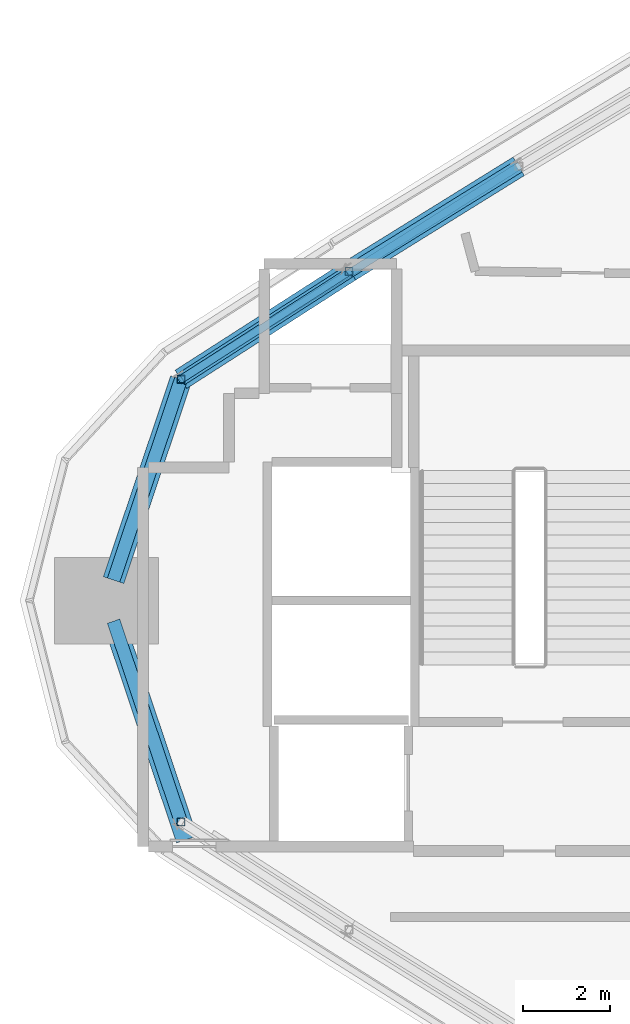
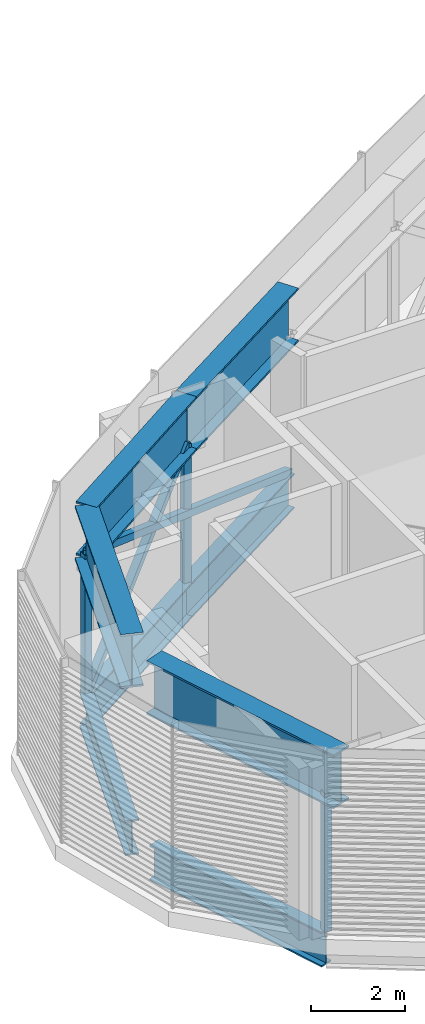
# One storey, part 4 of 21: 8 beams, 5 members.
"""IFC4 building model written with IfcOpenShell, lengths in metres."""

from ifc_helpers import new_model, si_unit, direction, frame, origin, origin_2d, place, context, subcontext, project, spatial, hollow_rectangle, i_section, extrude, material, material_profile, profile_set, type_object, element, save


model = new_model("IFC4")

# Units and contexts
model_context = context("Model", 3, precision=1e-05, world=origin(), true_north=direction((0.0, 1.0)))
body_context = subcontext(model_context, "Body", "Model", "MODEL_VIEW")
ifc_project = project(units=[si_unit("LENGTHUNIT", "METRE"), si_unit("AREAUNIT", "SQUARE_METRE"), si_unit("VOLUMEUNIT", "CUBIC_METRE"), si_unit("PLANEANGLEUNIT", "RADIAN"), si_unit("MASSUNIT", "GRAM", prefix="KILO")], contexts=[model_context])

# Site, building, storey
site_placement = place(None, origin())
site = spatial("IfcSite", under=ifc_project, at=site_placement, CompositionType="ELEMENT")
building_placement = place(site_placement, origin())
building = spatial("IfcBuilding", under=site, at=building_placement, Name="Tamra Quay Hotel Tower", CompositionType="ELEMENT")
storey_placement = place(building_placement, frame((0.0, 0.0, 301.800048828125)))
storey = spatial("IfcBuildingStorey", under=building, at=storey_placement, Name="L76", CompositionType="ELEMENT", Elevation=301.800048828125)

# Members
ifc_material = material(Name="Structural steel IS 2062 E350", Category="steel")
ifc_material_profile_1 = material_profile(ifc_material, hollow_rectangle(XDim=0.179931640625, YDim=0.179931640625, WallThickness=0.008056640625, at=origin_2d()), Name="SHS 180x180x8")
ifc_profile_set_1 = profile_set([ifc_material_profile_1], Name="Structural steel IS 2062 E350")
member_type = type_object("IfcMemberType", Name="BELT BRACE SHS 180x180x8 Z6", PredefinedType="BRACE", material=ifc_profile_set_1)
member_1_placement = place(storey_placement, frame((-13.765380859375, 10.022216796875, -0.400146484375), z_axis=(-0.787845591992, -0.496839784863, 0.363936191326), x_axis=(0.533419632316, -0.84585075271, 0.0)))
element("IfcMember", 1, at=member_1_placement, inside=storey, type_object=member_type, Name="BR-L76-028", PredefinedType="BRACE", context=body_context, shape_type="SweptSolid", body=[
    extrude(hollow_rectangle(XDim=0.179931640625, YDim=0.179931640625, WallThickness=0.008056640625, at=origin_2d()), origin(), (0.0, 0.0, 1.0), 9.89208984375),
])
member_2_placement = place(storey_placement, frame((-17.681396484375, 7.594970703125, -0.400146484375), z_axis=(0.0, 0.0, 1.0), x_axis=(1.0, 0.0, 0.0)))
element("IfcMember", 2, at=member_2_placement, inside=storey, type_object=member_type, Name="BR-L76-029", PredefinedType="BRACE", context=body_context, shape_type="SweptSolid", body=[
    extrude(hollow_rectangle(XDim=0.179931640625, YDim=0.179931640625, WallThickness=0.008056640625, at=origin_2d()), origin(), (0.0, 0.0, 1.0), 3.60009765625),
])
member_3_placement = place(storey_placement, frame((-21.558837890625, 5.107421875, -0.400146484375), z_axis=(0.663191844458, 0.425466673163, 0.615755379573), x_axis=(-0.539975237553, 0.841680903211, 0.0)))
element("IfcMember", 3, at=member_3_placement, inside=storey, type_object=member_type, Name="BR-L76-030", PredefinedType="BRACE", context=body_context, shape_type="SweptSolid", body=[
    extrude(hollow_rectangle(XDim=0.179931640625, YDim=0.179931640625, WallThickness=0.008056640625, at=origin_2d()), origin(), (0.0, 0.0, 1.0), 5.8466796875),
])
for number, where, z_axis, x_axis, name in (
    (4, (-21.558837890625, 5.107421875, -0.400146484375), (0.0, 0.0, 1.0), (1.0, 0.0, 0.0), "BR-L76-031"),
    (5, (-21.558837890625, -5.107421875, -0.400146484375), (0.0, 0.0, 1.0), (1.0, 0.0, 0.0), "BR-L76-032"),
):
    element("IfcMember", number, at=place(storey_placement, frame(where, z_axis=z_axis, x_axis=x_axis)), inside=storey, type_object=member_type, Name=name, PredefinedType="BRACE", context=body_context, shape_type="SweptSolid", body=[
        extrude(hollow_rectangle(XDim=0.179931640625, YDim=0.179931640625, WallThickness=0.008056640625, at=origin_2d()), origin(), (0.0, 0.0, 1.0), 3.60009765625),
    ])

# Beams
ifc_material_profile_2 = material_profile(ifc_material, i_section(OverallWidth=0.302001953125, OverallDepth=0.909912109375, WebThickness=0.027099609375, FlangeThickness=0.0400390625, at=origin_2d()), Name="WPB 900x300x333")
ifc_profile_set_2 = profile_set([ifc_material_profile_2], Name="Structural steel IS 2062 E350")
beam_type_1 = type_object("IfcBeamType", Name="BELT CHORD WPB 900x300x333 Z6", PredefinedType="BEAM", material=ifc_profile_set_2)
beam_1_placement = place(storey_placement, frame((-13.765380859375, 10.022216796875, -0.85498046875), z_axis=(-0.849969133721, -0.526832489243, 0.0), x_axis=(0.526832489243, -0.849969133721, 0.0)))
element("IfcBeam", 6, at=beam_1_placement, inside=storey, type_object=beam_type_1, Name="BM-CHB-L76-014", PredefinedType="BEAM", context=body_context, shape_type="SweptSolid", body=[
    extrude(i_section(OverallWidth=0.302001953125, OverallDepth=0.909912109375, WebThickness=0.027099609375, FlangeThickness=0.0400390625, at=origin_2d()), origin(), (0.0, 0.0, 1.0), 4.607177734375),
])
beam_2_placement = place(storey_placement, frame((-17.681396484375, 7.594970703125, -0.85498046875), z_axis=(-0.841680903211, -0.539975237553, 0.0), x_axis=(0.539975237553, -0.841680903211, 0.0)))
element("IfcBeam", 7, at=beam_2_placement, inside=storey, type_object=beam_type_1, Name="BM-CHB-L76-015", PredefinedType="BEAM", context=body_context, shape_type="SweptSolid", body=[
    extrude(i_section(OverallWidth=0.302001953125, OverallDepth=0.909912109375, WebThickness=0.027099609375, FlangeThickness=0.0400390625, at=origin_2d()), origin(), (0.0, 0.0, 1.0), 4.606689453125),
])
for number, where, z_axis, x_axis, name in (
    (8, (-21.558837890625, 5.107421875, -0.85498046875), (-0.318249821481, -0.948006883481, 0.0), (0.948006883481, -0.318249821481, 0.0), "BM-CHB-L76-016"),
    (9, (-23.114501953125, -0.473388671875, -0.85498046875), (0.318249821481, -0.948006883481, 0.0), (0.948006883481, 0.318249821481, 0.0), "BM-CHB-L76-017"),
):
    element("IfcBeam", number, at=place(storey_placement, frame(where, z_axis=z_axis, x_axis=x_axis)), inside=storey, type_object=beam_type_1, Name=name, PredefinedType="BEAM", context=body_context, shape_type="SweptSolid", body=[
        extrude(i_section(OverallWidth=0.302001953125, OverallDepth=0.909912109375, WebThickness=0.027099609375, FlangeThickness=0.0400390625, at=origin_2d()), origin(), (0.0, 0.0, 1.0), 4.88818359375),
    ])
ifc_material_profile_3 = material_profile(ifc_material, i_section(OverallWidth=0.5, OverallDepth=1.39990234375, WebThickness=0.02490234375, FlangeThickness=0.050048828125, at=origin_2d()), Name="WPG 1400x500x25x50")
ifc_profile_set_3 = profile_set([ifc_material_profile_3], Name="Structural steel IS 2062 E350")
beam_type_2 = type_object("IfcBeamType", Name="BELT TOP CHORD WPG 1400x500x25x50 Z6", PredefinedType="USERDEFINED", material=ifc_profile_set_3)
beam_3_placement = place(storey_placement, frame((-13.765380859375, 10.022216796875, 3.75), z_axis=(-0.849984349439, -0.526807940058, 0.0), x_axis=(0.526807940058, -0.849984349439, 0.0)))
element("IfcBeam", 10, at=beam_3_placement, inside=storey, type_object=beam_type_2, Name="BM-CHT-L76-014", ObjectType="TRANSFER GIRDER", PredefinedType="USERDEFINED", context=body_context, shape_type="SweptSolid", body=[
    extrude(i_section(OverallWidth=0.5, OverallDepth=1.39990234375, WebThickness=0.02490234375, FlangeThickness=0.050048828125, at=origin_2d()), origin(), (0.0, 0.0, 1.0), 4.57861328125),
])
beam_4_placement = place(storey_placement, frame((-17.658203125, 7.610107421875, 3.75), z_axis=(-0.84165568344, -0.540014546594, 0.0), x_axis=(0.540014546594, -0.84165568344, 0.0)))
element("IfcBeam", 11, at=beam_4_placement, inside=storey, type_object=beam_type_2, Name="BM-CHT-L76-015", ObjectType="TRANSFER GIRDER", PredefinedType="USERDEFINED", context=body_context, shape_type="SweptSolid", body=[
    extrude(i_section(OverallWidth=0.5, OverallDepth=1.39990234375, WebThickness=0.02490234375, FlangeThickness=0.050048828125, at=origin_2d()), origin(), (0.0, 0.0, 1.0), 4.634521484375),
])
beam_5_placement = place(storey_placement, frame((-21.558837890625, 5.107421875, 3.75), z_axis=(-0.318249821481, -0.948006883481, 0.0), x_axis=(0.948006883481, -0.318249821481, 0.0)))
element("IfcBeam", 12, at=beam_5_placement, inside=storey, type_object=beam_type_2, Name="BM-CHT-L76-016", ObjectType="TRANSFER GIRDER", PredefinedType="USERDEFINED", context=body_context, shape_type="SweptSolid", body=[
    extrude(i_section(OverallWidth=0.5, OverallDepth=1.39990234375, WebThickness=0.02490234375, FlangeThickness=0.050048828125, at=origin_2d()), origin(), (0.0, 0.0, 1.0), 4.88818359375),
])
beam_6_placement = place(storey_placement, frame((-23.114501953125, -0.473388671875, 3.75), z_axis=(0.318267327692, -0.948001006394, 0.0), x_axis=(0.948001006394, 0.318267327692, 0.0)))
element("IfcBeam", 13, at=beam_6_placement, inside=storey, type_object=beam_type_2, Name="BM-CHT-L76-017", ObjectType="TRANSFER GIRDER", PredefinedType="USERDEFINED", context=body_context, shape_type="SweptSolid", body=[
    extrude(i_section(OverallWidth=0.5, OverallDepth=1.39990234375, WebThickness=0.02490234375, FlangeThickness=0.050048828125, at=origin_2d()), origin(), (0.0, 0.0, 1.0), 5.31298828125),
])

save(model, "model.ifc")
